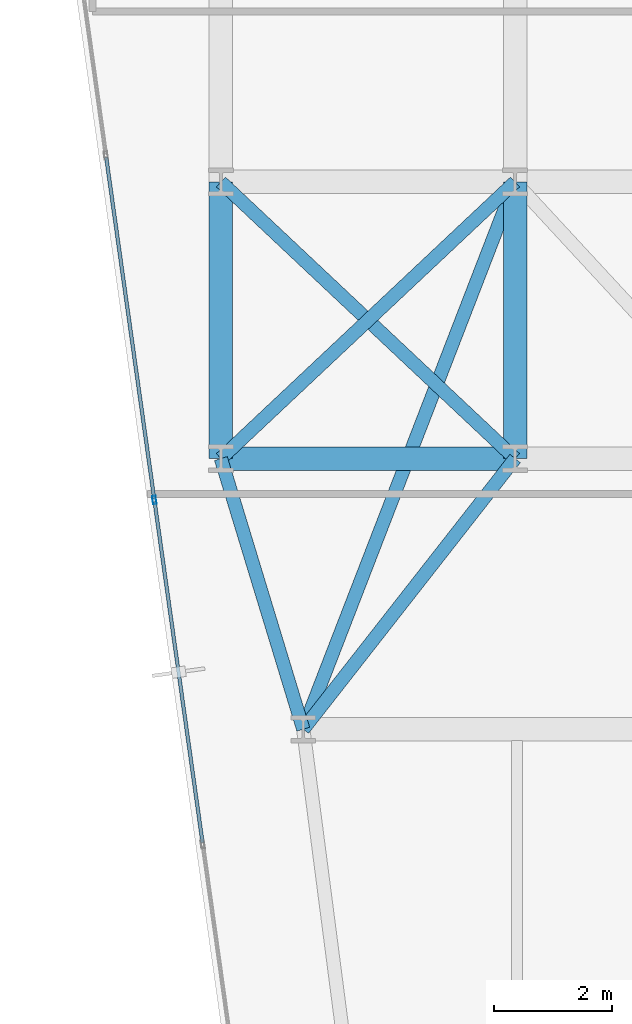
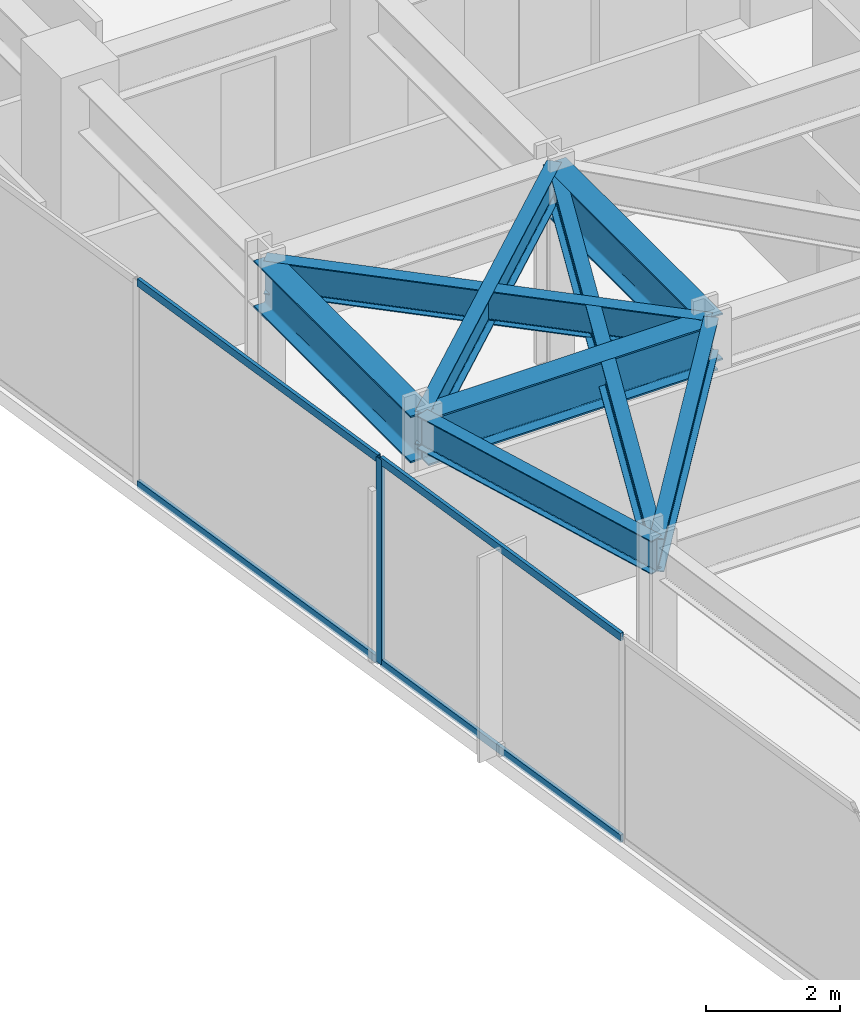
# One storey, part 9 of 26: 8 beams, 5 members, 1 element without a shape of its own.
"""IFC4 building model written with IfcOpenShell, lengths in metres."""

from ifc_helpers import new_model, si_unit, direction, frame, origin, origin_2d, place, context, subcontext, project, spatial, hollow_rectangle, i_section, extrude, material, layer, layer_set, material_profile, profile_set, type_object, element, aggregate, save


model = new_model("IFC4")

# Units and contexts
model_context = context("Model", 3, precision=1e-05, world=origin(), true_north=direction((0.0, 1.0)))
body_context = subcontext(model_context, "Body", "Model", "MODEL_VIEW")
ifc_project = project(units=[si_unit("LENGTHUNIT", "METRE"), si_unit("AREAUNIT", "SQUARE_METRE"), si_unit("VOLUMEUNIT", "CUBIC_METRE"), si_unit("PLANEANGLEUNIT", "RADIAN"), si_unit("MASSUNIT", "GRAM", prefix="KILO")], contexts=[model_context])

# Site, building, storey
site_placement = place(None, origin())
site = spatial("IfcSite", under=ifc_project, at=site_placement, CompositionType="ELEMENT")
building_placement = place(site_placement, origin())
building = spatial("IfcBuilding", under=site, at=building_placement, Name="Kravanh Interchange Tower", CompositionType="ELEMENT")
storey_placement = place(building_placement, frame((0.0, 0.0, 116.0)))
storey = spatial("IfcBuildingStorey", under=building, at=storey_placement, Name="L27", CompositionType="ELEMENT", Elevation=116.0)

# Curtain wall, members
ifc_material_1 = material(Name="Anodised Bronze Aluminium", Category="aluminium")
ifc_layer = layer(ifc_material_1, 0.179931640625)
ifc_layer_set = layer_set([ifc_layer], Name="Unitised Curtain Wall System CW-Z2 Mid Office")
curtain_wall_type = type_object("IfcCurtainWallType", Name="Unitised Curtain Wall System CW-Z2 Mid Office", PredefinedType="NOTDEFINED", material=ifc_layer_set)
curtain_wall_placement = place(storey_placement, origin())
curtain_wall = element("IfcCurtainWall", 1, at=curtain_wall_placement, inside=storey, type_object=curtain_wall_type, Name="L27 Unitised Curtain Wall CW-L27-01", PredefinedType="NOTDEFINED")
ifc_material_2 = material(Name="Anodised Bronze Aluminium", Category="aluminium")
ifc_material_profile_1 = material_profile(ifc_material_2, hollow_rectangle(XDim=0.06005859375, YDim=0.139892578125, WallThickness=0.00390625, at=origin_2d()), Name="ALU60X140X4")
ifc_profile_set_1 = profile_set([ifc_material_profile_1], Name="Anodised Bronze Aluminium")
member_type_1 = type_object("IfcMemberType", Name="Curtain Wall Mullion ALU60X140X4 Bronze", PredefinedType="MULLION", material=ifc_profile_set_1)
member_1_placement = place(storey_placement, frame((12.469970703125, 26.095458984375, 0.0), z_axis=(0.0, 0.0, 1.0), x_axis=(-0.990268103846, -0.13917285118, 0.0)))
member_1 = element("IfcMember", 2, at=member_1_placement, type_object=member_type_1, Name="CW-Z2 mullion 4", PredefinedType="MULLION", context=body_context, shape_type="SweptSolid", body=[
    extrude(hollow_rectangle(XDim=0.06005859375, YDim=0.139892578125, WallThickness=0.00390625, at=origin_2d()), origin(), (0.0, 0.0, 1.0), 3.75),
])
ifc_material_3 = material(Name="Anodised Bronze Aluminium", Category="aluminium")
ifc_material_profile_2 = material_profile(ifc_material_3, hollow_rectangle(XDim=0.06005859375, YDim=0.139892578125, WallThickness=0.00390625, at=origin_2d()), Name="ALU60X140X4")
ifc_profile_set_2 = profile_set([ifc_material_profile_2], Name="Anodised Bronze Aluminium")
member_type_2 = type_object("IfcMemberType", Name="Curtain Wall Transom ALU60X140X4 Bronze", PredefinedType="USERDEFINED", material=ifc_profile_set_2)
member_2_placement = place(storey_placement, frame((13.288330078125, 20.27294921875, 0.030029296875), z_axis=(-0.13918896503, 0.990265839062, 0.0), x_axis=(-0.990265839062, -0.13918896503, 0.0)))
member_2 = element("IfcMember", 3, at=member_2_placement, type_object=member_type_2, Name="CW-Z2 transom 3.1", ObjectType="TRANSOM", PredefinedType="USERDEFINED", context=body_context, shape_type="SweptSolid", body=[
    extrude(hollow_rectangle(XDim=0.06005859375, YDim=0.139892578125, WallThickness=0.00390625, at=origin_2d()), origin(), (0.0, 0.0, 1.0), 5.849609375),
])
member_3_placement = place(storey_placement, frame((13.288330078125, 20.27294921875, 3.719970703125), z_axis=(-0.13918896503, 0.990265839062, 0.0), x_axis=(-0.990265839062, -0.13918896503, 0.0)))
member_3 = element("IfcMember", 4, at=member_3_placement, type_object=member_type_2, Name="CW-Z2 transom 3.2", ObjectType="TRANSOM", PredefinedType="USERDEFINED", context=body_context, shape_type="SweptSolid", body=[
    extrude(hollow_rectangle(XDim=0.06005859375, YDim=0.139892578125, WallThickness=0.00390625, at=origin_2d()), origin(), (0.0, 0.0, 1.0), 5.849609375),
])
member_4_placement = place(storey_placement, frame((12.4658203125, 26.125244140625, 0.030029296875), z_axis=(-0.13918896503, 0.990265839062, 0.0), x_axis=(-0.990265839062, -0.13918896503, 0.0)))
member_4 = element("IfcMember", 5, at=member_4_placement, type_object=member_type_2, Name="CW-Z2 transom 4.1", ObjectType="TRANSOM", PredefinedType="USERDEFINED", context=body_context, shape_type="SweptSolid", body=[
    extrude(hollow_rectangle(XDim=0.06005859375, YDim=0.139892578125, WallThickness=0.00390625, at=origin_2d()), origin(), (0.0, 0.0, 1.0), 5.849609375),
])
member_5_placement = place(storey_placement, frame((12.4658203125, 26.125244140625, 3.719970703125), z_axis=(-0.13918896503, 0.990265839062, 0.0), x_axis=(-0.990265839062, -0.13918896503, 0.0)))
member_5 = element("IfcMember", 6, at=member_5_placement, type_object=member_type_2, Name="CW-Z2 transom 4.2", ObjectType="TRANSOM", PredefinedType="USERDEFINED", context=body_context, shape_type="SweptSolid", body=[
    extrude(hollow_rectangle(XDim=0.06005859375, YDim=0.139892578125, WallThickness=0.00390625, at=origin_2d()), origin(), (0.0, 0.0, 1.0), 5.849609375),
])
aggregate(curtain_wall, [member_1, member_2, member_3, member_4, member_5])

# Beams
ifc_material_4 = material(Name="Structural Steel S355", Category="steel")
ifc_material_profile_3 = material_profile(ifc_material_4, i_section(OverallWidth=0.39990234375, OverallDepth=0.85595703125, WebThickness=0.018310546875, FlangeThickness=0.029296875, FilletRadius=0.02490234375, at=origin_2d()), Name="W33X201")
ifc_profile_set_3 = profile_set([ifc_material_profile_3], Name="Structural Steel S355")
beam_type_1 = type_object("IfcBeamType", Name="Floor Beam W33X201 Structural Steel S355", PredefinedType="BEAM", material=ifc_profile_set_3)
beam_1_placement = place(storey_placement, frame((13.60009765625, 26.800048828125, 3.322021484375), z_axis=(0.0, 1.0, 0.0), x_axis=(-1.0, 0.0, 0.0)))
element("IfcBeam", 7, at=beam_1_placement, inside=storey, type_object=beam_type_1, Name="L27 Primary Floor Girder 37", PredefinedType="BEAM", context=body_context, shape_type="SweptSolid", body=[
    extrude(i_section(OverallWidth=0.39990234375, OverallDepth=0.85595703125, WebThickness=0.018310546875, FlangeThickness=0.029296875, FilletRadius=0.02490234375, at=origin_2d()), origin(), (0.0, 0.0, 1.0), 4.699951171875),
])
beam_2_placement = place(storey_placement, frame((13.60009765625, 26.800048828125, 3.322021484375), z_axis=(1.0, 0.0, 0.0), x_axis=(0.0, 1.0, 0.0)))
element("IfcBeam", 8, at=beam_2_placement, inside=storey, type_object=beam_type_1, Name="L27 Primary Floor Girder 39", PredefinedType="BEAM", context=body_context, shape_type="SweptSolid", body=[
    extrude(i_section(OverallWidth=0.39990234375, OverallDepth=0.85595703125, WebThickness=0.018310546875, FlangeThickness=0.029296875, FilletRadius=0.02490234375, at=origin_2d()), origin(), (0.0, 0.0, 1.0), 5.0),
])
beam_3_placement = place(storey_placement, frame((18.60009765625, 26.800048828125, 3.322021484375), z_axis=(0.0, 1.0, 0.0), x_axis=(-1.0, 0.0, 0.0)))
element("IfcBeam", 9, at=beam_3_placement, inside=storey, type_object=beam_type_1, Name="L27 Primary Floor Girder 41", PredefinedType="BEAM", context=body_context, shape_type="SweptSolid", body=[
    extrude(i_section(OverallWidth=0.39990234375, OverallDepth=0.85595703125, WebThickness=0.018310546875, FlangeThickness=0.029296875, FilletRadius=0.02490234375, at=origin_2d()), origin(), (0.0, 0.0, 1.0), 4.699951171875),
])
ifc_material_5 = material(Name="Structural Steel S355", Category="steel")
ifc_material_profile_4 = material_profile(ifc_material_5, i_section(OverallWidth=0.22802734375, OverallDepth=0.60791015625, WebThickness=0.01123046875, FlangeThickness=0.017333984375, FilletRadius=0.02197265625, at=origin_2d()), Name="W24X76")
ifc_profile_set_4 = profile_set([ifc_material_profile_4], Name="Structural Steel S355")
beam_type_2 = type_object("IfcBeamType", Name="Floor Spandrel W24X76 Structural Steel S355", PredefinedType="SPANDREL", material=ifc_profile_set_4)
beam_4_placement = place(storey_placement, frame((13.60009765625, 26.800048828125, 3.446044921875), z_axis=(0.291137370727, -0.956681259023, 0.0), x_axis=(0.956681259023, 0.291137370727, 0.0)))
element("IfcBeam", 10, at=beam_4_placement, inside=storey, type_object=beam_type_2, Name="L27 Perimeter Spandrel 38", PredefinedType="SPANDREL", context=body_context, shape_type="SweptSolid", body=[
    extrude(i_section(OverallWidth=0.22802734375, OverallDepth=0.60791015625, WebThickness=0.01123046875, FlangeThickness=0.017333984375, FilletRadius=0.02197265625, at=origin_2d()), origin(), (0.0, 0.0, 1.0), 4.808349609375),
])
beam_5_placement = place(storey_placement, frame((13.60009765625, 26.800048828125, 3.446044921875), z_axis=(0.728631219862, 0.684906231131, 0.0), x_axis=(-0.684906231131, 0.728631219862, 0.0)))
element("IfcBeam", 11, at=beam_5_placement, inside=storey, type_object=beam_type_2, Name="L27 Perimeter Spandrel 40", PredefinedType="SPANDREL", context=body_context, shape_type="SweptSolid", body=[
    extrude(i_section(OverallWidth=0.22802734375, OverallDepth=0.60791015625, WebThickness=0.01123046875, FlangeThickness=0.017333984375, FilletRadius=0.02197265625, at=origin_2d()), origin(), (0.0, 0.0, 1.0), 6.862060546875),
])
beam_6_placement = place(storey_placement, frame((18.60009765625, 26.800048828125, 3.446044921875), z_axis=(-0.616310515553, -0.787503237085, 0.0), x_axis=(0.787503237085, -0.616310515553, 0.0)))
element("IfcBeam", 12, at=beam_6_placement, inside=storey, type_object=beam_type_2, Name="L27 Perimeter Spandrel 42", PredefinedType="SPANDREL", context=body_context, shape_type="SweptSolid", body=[
    extrude(i_section(OverallWidth=0.22802734375, OverallDepth=0.60791015625, WebThickness=0.01123046875, FlangeThickness=0.017333984375, FilletRadius=0.02197265625, at=origin_2d()), origin(), (0.0, 0.0, 1.0), 5.84130859375),
])
beam_7_placement = place(storey_placement, frame((18.60009765625, 26.800048828125, 3.446044921875), z_axis=(-0.728631219862, 0.684906231131, 0.0), x_axis=(-0.684906231131, -0.728631219862, 0.0)))
element("IfcBeam", 13, at=beam_7_placement, inside=storey, type_object=beam_type_2, Name="L27 Perimeter Spandrel 43", PredefinedType="SPANDREL", context=body_context, shape_type="SweptSolid", body=[
    extrude(i_section(OverallWidth=0.22802734375, OverallDepth=0.60791015625, WebThickness=0.01123046875, FlangeThickness=0.017333984375, FilletRadius=0.02197265625, at=origin_2d()), origin(), (0.0, 0.0, 1.0), 6.862060546875),
])
beam_8_placement = place(storey_placement, frame((18.60009765625, 31.5, 3.446044921875), z_axis=(-0.3610009706, -0.932565439648, 0.0), x_axis=(0.932565439648, -0.3610009706, 0.0)))
element("IfcBeam", 14, at=beam_8_placement, inside=storey, type_object=beam_type_2, Name="L27 Perimeter Spandrel 72", PredefinedType="SPANDREL", context=body_context, shape_type="SweptSolid", body=[
    extrude(i_section(OverallWidth=0.22802734375, OverallDepth=0.60791015625, WebThickness=0.01123046875, FlangeThickness=0.017333984375, FilletRadius=0.02197265625, at=origin_2d()), origin(), (0.0, 0.0, 1.0), 9.97265625),
])

save(model, "model.ifc")
